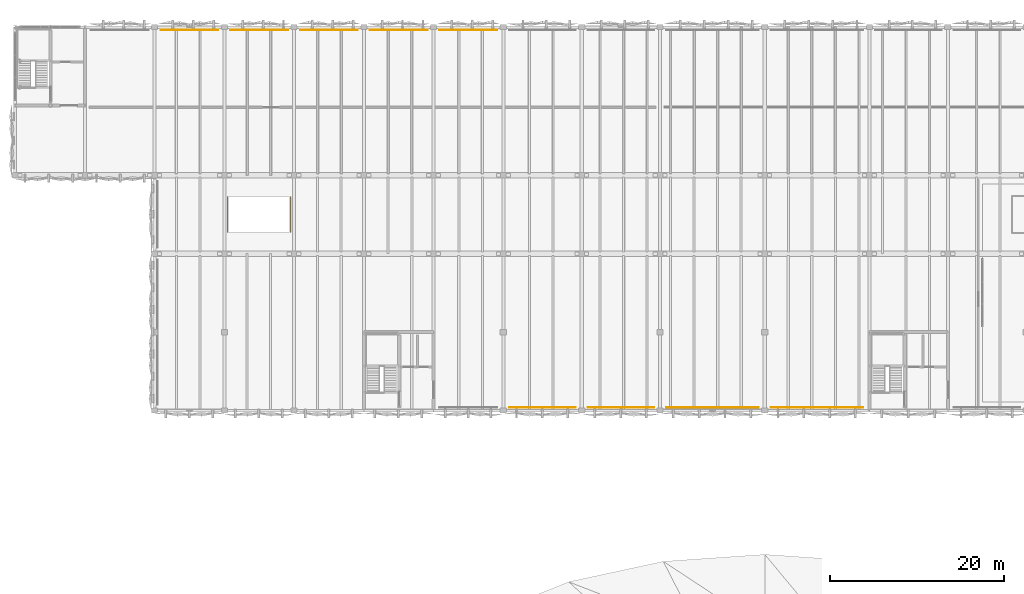
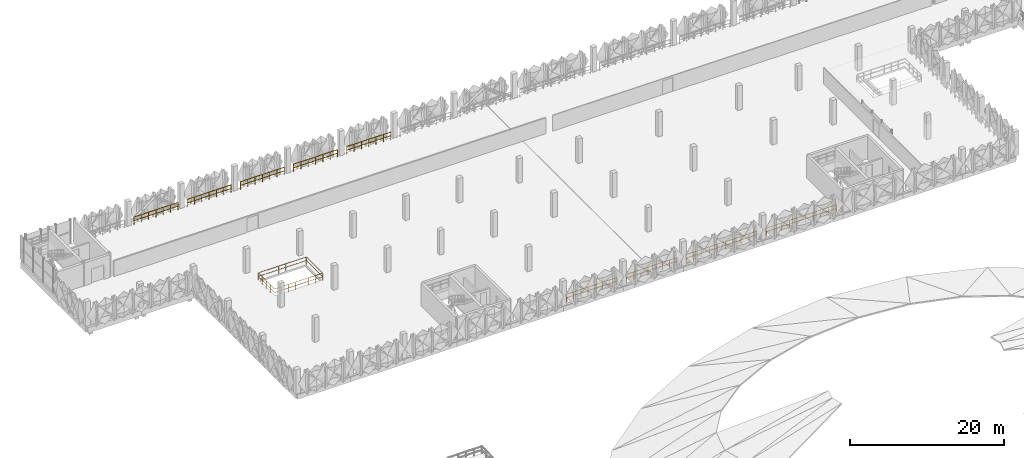
# One storey, part 47 of 52: 10 railings.
"""IFC4 building model written with IfcOpenShell, lengths in metres."""

from ifc_helpers import new_model, si_unit, derived_unit, direction, frame, origin, origin_2d, place, context, subcontext, project, spatial, circle, extrude, material, type_object, element, save


model = new_model("IFC4")

# Units and contexts
model_context = context("Model", 3, precision=1e-05, world=origin(), true_north=direction((0.0, 1.0)))
body_context = subcontext(model_context, "Body", "Model", "MODEL_VIEW")
ifc_project = project(units=[si_unit("LENGTHUNIT", "METRE"), si_unit("AREAUNIT", "SQUARE_METRE"), si_unit("VOLUMEUNIT", "CUBIC_METRE"), si_unit("PLANEANGLEUNIT", "RADIAN"), si_unit("MASSUNIT", "GRAM", prefix="KILO"), si_unit("THERMODYNAMICTEMPERATUREUNIT", "KELVIN"), derived_unit("THERMALTRANSMITTANCEUNIT", [(si_unit("POWERUNIT", "WATT"), 1), (si_unit("AREAUNIT", "SQUARE_METRE"), -1), (si_unit("THERMODYNAMICTEMPERATUREUNIT", "KELVIN"), -1)])], contexts=[model_context])

# Site, building, storey
site_placement = place(None, origin())
site = spatial("IfcSite", under=ifc_project, at=site_placement, CompositionType="ELEMENT")
building_placement = place(site_placement, origin())
building = spatial("IfcBuilding", under=site, at=building_placement, Name="Haiyu Intermodal Mobility Hub", CompositionType="ELEMENT")
storey_placement = place(building_placement, frame((0.0, 0.0, 21.199951171875)))
storey = spatial("IfcBuildingStorey", under=building, at=storey_placement, Name="L05", CompositionType="ELEMENT", Elevation=21.199951171875)

# Railings
ifc_material = material(Name="Steel Q355C", Category="steel")
railing_type = type_object("IfcRailingType", Name="RAL-GR01", PredefinedType="GUARDRAIL", material=ifc_material)
railing_1_placement = place(storey_placement, frame((45.300048828125, 147.659912109375, 0.0)))
element("IfcRailing", 1, at=railing_1_placement, inside=storey, type_object=railing_type, Name="RAL-CAR-N-0018", PredefinedType="GUARDRAIL", context=body_context, shape_type="SweptSolid", body=[
    extrude(circle(Radius=0.02392578125, at=origin_2d()), frame((-0.030029296875, 0.0, 1.17578125), z_axis=(-1.0, 0.0, 0.0), x_axis=(0.0, -1.0, 0.0)), (0.0, 0.0, 1.0), 6.5400390625),
    extrude(circle(Radius=0.02392578125, at=origin_2d()), frame((-0.037353515625, 0.0, 0.60009765625), z_axis=(-1.0, 0.0, 0.0), x_axis=(0.0, -1.0, 0.0)), (0.0, 0.0, 1.0), 1.025390625),
    extrude(circle(Radius=0.02392578125, at=origin_2d()), frame((-1.13720703125, 0.0, 0.60009765625), z_axis=(-1.0, 0.0, 0.0), x_axis=(0.0, -1.0, 0.0)), (0.0, 0.0, 1.0), 1.025390625),
    extrude(circle(Radius=0.02392578125, at=origin_2d()), frame((-2.2373046875, 0.0, 0.60009765625), z_axis=(-1.0, 0.0, 0.0), x_axis=(0.0, -1.0, 0.0)), (0.0, 0.0, 1.0), 1.025390625),
    extrude(circle(Radius=0.02392578125, at=origin_2d()), frame((-3.33740234375, 0.0, 0.60009765625), z_axis=(-1.0, 0.0, 0.0), x_axis=(0.0, -1.0, 0.0)), (0.0, 0.0, 1.0), 1.025390625),
    extrude(circle(Radius=0.02392578125, at=origin_2d()), frame((-4.437255859375, 0.0, 0.60009765625), z_axis=(-1.0, 0.0, 0.0), x_axis=(0.0, -1.0, 0.0)), (0.0, 0.0, 1.0), 1.025390625),
    extrude(circle(Radius=0.02392578125, at=origin_2d()), frame((-5.537353515625, 0.0, 0.60009765625), z_axis=(-1.0, 0.0, 0.0), x_axis=(0.0, -1.0, 0.0)), (0.0, 0.0, 1.0), 1.025390625),
    extrude(circle(Radius=0.02099609375, at=origin_2d()), origin(), (0.0, 0.0, 1.0), 1.143798828125),
    extrude(circle(Radius=0.02099609375, at=origin_2d()), frame((-1.10009765625, 0.0, 0.0)), (0.0, 0.0, 1.0), 1.143798828125),
    extrude(circle(Radius=0.02099609375, at=origin_2d()), frame((-2.199951171875, 0.0, 0.0)), (0.0, 0.0, 1.0), 1.143798828125),
    extrude(circle(Radius=0.02099609375, at=origin_2d()), frame((-3.300048828125, 0.0, 0.0)), (0.0, 0.0, 1.0), 1.143798828125),
    extrude(circle(Radius=0.02099609375, at=origin_2d()), frame((-4.400146484375, 0.0, 0.0)), (0.0, 0.0, 1.0), 1.143798828125),
    extrude(circle(Radius=0.02099609375, at=origin_2d()), frame((-5.5, 0.0, 0.0)), (0.0, 0.0, 1.0), 1.143798828125),
    extrude(circle(Radius=0.02099609375, at=origin_2d()), frame((-6.60009765625, 0.0, 0.0)), (0.0, 0.0, 1.0), 1.143798828125),
])
railing_2_placement = place(storey_placement, frame((53.300048828125, 147.659912109375, 0.0)))
element("IfcRailing", 2, at=railing_2_placement, inside=storey, type_object=railing_type, Name="RAL-CAR-N-0024", PredefinedType="GUARDRAIL", context=body_context, shape_type="SweptSolid", body=[
    extrude(circle(Radius=0.02392578125, at=origin_2d()), frame((-0.030029296875, 0.0, 1.17578125), z_axis=(-1.0, 0.0, 0.0), x_axis=(0.0, -1.0, 0.0)), (0.0, 0.0, 1.0), 6.5400390625),
    extrude(circle(Radius=0.02392578125, at=origin_2d()), frame((-0.037353515625, 0.0, 0.60009765625), z_axis=(-1.0, 0.0, 0.0), x_axis=(0.0, -1.0, 0.0)), (0.0, 0.0, 1.0), 1.025390625),
    extrude(circle(Radius=0.02392578125, at=origin_2d()), frame((-1.13720703125, 0.0, 0.60009765625), z_axis=(-1.0, 0.0, 0.0), x_axis=(0.0, -1.0, 0.0)), (0.0, 0.0, 1.0), 1.025390625),
    extrude(circle(Radius=0.02392578125, at=origin_2d()), frame((-2.2373046875, 0.0, 0.60009765625), z_axis=(-1.0, 0.0, 0.0), x_axis=(0.0, -1.0, 0.0)), (0.0, 0.0, 1.0), 1.025390625),
    extrude(circle(Radius=0.02392578125, at=origin_2d()), frame((-3.33740234375, 0.0, 0.60009765625), z_axis=(-1.0, 0.0, 0.0), x_axis=(0.0, -1.0, 0.0)), (0.0, 0.0, 1.0), 1.025390625),
    extrude(circle(Radius=0.02392578125, at=origin_2d()), frame((-4.437255859375, 0.0, 0.60009765625), z_axis=(-1.0, 0.0, 0.0), x_axis=(0.0, -1.0, 0.0)), (0.0, 0.0, 1.0), 1.025390625),
    extrude(circle(Radius=0.02392578125, at=origin_2d()), frame((-5.537353515625, 0.0, 0.60009765625), z_axis=(-1.0, 0.0, 0.0), x_axis=(0.0, -1.0, 0.0)), (0.0, 0.0, 1.0), 1.025390625),
    extrude(circle(Radius=0.02099609375, at=origin_2d()), origin(), (0.0, 0.0, 1.0), 1.143798828125),
    extrude(circle(Radius=0.02099609375, at=origin_2d()), frame((-1.10009765625, 0.0, 0.0)), (0.0, 0.0, 1.0), 1.143798828125),
    extrude(circle(Radius=0.02099609375, at=origin_2d()), frame((-2.199951171875, 0.0, 0.0)), (0.0, 0.0, 1.0), 1.143798828125),
    extrude(circle(Radius=0.02099609375, at=origin_2d()), frame((-3.300048828125, 0.0, 0.0)), (0.0, 0.0, 1.0), 1.143798828125),
    extrude(circle(Radius=0.02099609375, at=origin_2d()), frame((-4.400146484375, 0.0, 0.0)), (0.0, 0.0, 1.0), 1.143798828125),
    extrude(circle(Radius=0.02099609375, at=origin_2d()), frame((-5.5, 0.0, 0.0)), (0.0, 0.0, 1.0), 1.143798828125),
    extrude(circle(Radius=0.02099609375, at=origin_2d()), frame((-6.60009765625, 0.0, 0.0)), (0.0, 0.0, 1.0), 1.143798828125),
])
railing_3_placement = place(storey_placement, frame((61.300048828125, 147.659912109375, 0.0)))
element("IfcRailing", 3, at=railing_3_placement, inside=storey, type_object=railing_type, Name="RAL-CAR-N-0029", PredefinedType="GUARDRAIL", context=body_context, shape_type="SweptSolid", body=[
    extrude(circle(Radius=0.02392578125, at=origin_2d()), frame((-0.030029296875, 0.0, 1.17578125), z_axis=(-1.0, 0.0, 0.0), x_axis=(0.0, -1.0, 0.0)), (0.0, 0.0, 1.0), 6.5400390625),
    extrude(circle(Radius=0.02392578125, at=origin_2d()), frame((-0.037353515625, 0.0, 0.60009765625), z_axis=(-1.0, 0.0, 0.0), x_axis=(0.0, -1.0, 0.0)), (0.0, 0.0, 1.0), 1.025390625),
    extrude(circle(Radius=0.02392578125, at=origin_2d()), frame((-1.13720703125, 0.0, 0.60009765625), z_axis=(-1.0, 0.0, 0.0), x_axis=(0.0, -1.0, 0.0)), (0.0, 0.0, 1.0), 1.025390625),
    extrude(circle(Radius=0.02392578125, at=origin_2d()), frame((-2.2373046875, 0.0, 0.60009765625), z_axis=(-1.0, 0.0, 0.0), x_axis=(0.0, -1.0, 0.0)), (0.0, 0.0, 1.0), 1.025390625),
    extrude(circle(Radius=0.02392578125, at=origin_2d()), frame((-3.33740234375, 0.0, 0.60009765625), z_axis=(-1.0, 0.0, 0.0), x_axis=(0.0, -1.0, 0.0)), (0.0, 0.0, 1.0), 1.025390625),
    extrude(circle(Radius=0.02392578125, at=origin_2d()), frame((-4.437255859375, 0.0, 0.60009765625), z_axis=(-1.0, 0.0, 0.0), x_axis=(0.0, -1.0, 0.0)), (0.0, 0.0, 1.0), 1.025390625),
    extrude(circle(Radius=0.02392578125, at=origin_2d()), frame((-5.537353515625, 0.0, 0.60009765625), z_axis=(-1.0, 0.0, 0.0), x_axis=(0.0, -1.0, 0.0)), (0.0, 0.0, 1.0), 1.025390625),
    extrude(circle(Radius=0.02099609375, at=origin_2d()), origin(), (0.0, 0.0, 1.0), 1.143798828125),
    extrude(circle(Radius=0.02099609375, at=origin_2d()), frame((-1.10009765625, 0.0, 0.0)), (0.0, 0.0, 1.0), 1.143798828125),
    extrude(circle(Radius=0.02099609375, at=origin_2d()), frame((-2.199951171875, 0.0, 0.0)), (0.0, 0.0, 1.0), 1.143798828125),
    extrude(circle(Radius=0.02099609375, at=origin_2d()), frame((-3.300048828125, 0.0, 0.0)), (0.0, 0.0, 1.0), 1.143798828125),
    extrude(circle(Radius=0.02099609375, at=origin_2d()), frame((-4.400146484375, 0.0, 0.0)), (0.0, 0.0, 1.0), 1.143798828125),
    extrude(circle(Radius=0.02099609375, at=origin_2d()), frame((-5.5, 0.0, 0.0)), (0.0, 0.0, 1.0), 1.143798828125),
    extrude(circle(Radius=0.02099609375, at=origin_2d()), frame((-6.60009765625, 0.0, 0.0)), (0.0, 0.0, 1.0), 1.143798828125),
])
railing_4_placement = place(storey_placement, frame((69.300048828125, 147.659912109375, 0.0)))
element("IfcRailing", 4, at=railing_4_placement, inside=storey, type_object=railing_type, Name="RAL-CAR-N-0034", PredefinedType="GUARDRAIL", context=body_context, shape_type="SweptSolid", body=[
    extrude(circle(Radius=0.02392578125, at=origin_2d()), frame((-0.030029296875, 0.0, 1.17578125), z_axis=(-1.0, 0.0, 0.0), x_axis=(0.0, -1.0, 0.0)), (0.0, 0.0, 1.0), 6.5400390625),
    extrude(circle(Radius=0.02392578125, at=origin_2d()), frame((-0.037353515625, 0.0, 0.60009765625), z_axis=(-1.0, 0.0, 0.0), x_axis=(0.0, -1.0, 0.0)), (0.0, 0.0, 1.0), 1.025390625),
    extrude(circle(Radius=0.02392578125, at=origin_2d()), frame((-1.13720703125, 0.0, 0.60009765625), z_axis=(-1.0, 0.0, 0.0), x_axis=(0.0, -1.0, 0.0)), (0.0, 0.0, 1.0), 1.025390625),
    extrude(circle(Radius=0.02392578125, at=origin_2d()), frame((-2.2373046875, 0.0, 0.60009765625), z_axis=(-1.0, 0.0, 0.0), x_axis=(0.0, -1.0, 0.0)), (0.0, 0.0, 1.0), 1.025390625),
    extrude(circle(Radius=0.02392578125, at=origin_2d()), frame((-3.33740234375, 0.0, 0.60009765625), z_axis=(-1.0, 0.0, 0.0), x_axis=(0.0, -1.0, 0.0)), (0.0, 0.0, 1.0), 1.025390625),
    extrude(circle(Radius=0.02392578125, at=origin_2d()), frame((-4.437255859375, 0.0, 0.60009765625), z_axis=(-1.0, 0.0, 0.0), x_axis=(0.0, -1.0, 0.0)), (0.0, 0.0, 1.0), 1.025390625),
    extrude(circle(Radius=0.02392578125, at=origin_2d()), frame((-5.537353515625, 0.0, 0.60009765625), z_axis=(-1.0, 0.0, 0.0), x_axis=(0.0, -1.0, 0.0)), (0.0, 0.0, 1.0), 1.025390625),
    extrude(circle(Radius=0.02099609375, at=origin_2d()), origin(), (0.0, 0.0, 1.0), 1.143798828125),
    extrude(circle(Radius=0.02099609375, at=origin_2d()), frame((-1.10009765625, 0.0, 0.0)), (0.0, 0.0, 1.0), 1.143798828125),
    extrude(circle(Radius=0.02099609375, at=origin_2d()), frame((-2.199951171875, 0.0, 0.0)), (0.0, 0.0, 1.0), 1.143798828125),
    extrude(circle(Radius=0.02099609375, at=origin_2d()), frame((-3.300048828125, 0.0, 0.0)), (0.0, 0.0, 1.0), 1.143798828125),
    extrude(circle(Radius=0.02099609375, at=origin_2d()), frame((-4.400146484375, 0.0, 0.0)), (0.0, 0.0, 1.0), 1.143798828125),
    extrude(circle(Radius=0.02099609375, at=origin_2d()), frame((-5.5, 0.0, 0.0)), (0.0, 0.0, 1.0), 1.143798828125),
    extrude(circle(Radius=0.02099609375, at=origin_2d()), frame((-6.60009765625, 0.0, 0.0)), (0.0, 0.0, 1.0), 1.143798828125),
])
railing_5_placement = place(storey_placement, frame((77.300048828125, 147.659912109375, 0.0)))
element("IfcRailing", 5, at=railing_5_placement, inside=storey, type_object=railing_type, Name="RAL-CAR-N-0040", PredefinedType="GUARDRAIL", context=body_context, shape_type="SweptSolid", body=[
    extrude(circle(Radius=0.02392578125, at=origin_2d()), frame((-0.030029296875, 0.0, 1.17578125), z_axis=(-1.0, 0.0, 0.0), x_axis=(0.0, -1.0, 0.0)), (0.0, 0.0, 1.0), 6.5400390625),
    extrude(circle(Radius=0.02392578125, at=origin_2d()), frame((-0.037353515625, 0.0, 0.60009765625), z_axis=(-1.0, 0.0, 0.0), x_axis=(0.0, -1.0, 0.0)), (0.0, 0.0, 1.0), 1.025390625),
    extrude(circle(Radius=0.02392578125, at=origin_2d()), frame((-1.13720703125, 0.0, 0.60009765625), z_axis=(-1.0, 0.0, 0.0), x_axis=(0.0, -1.0, 0.0)), (0.0, 0.0, 1.0), 1.025390625),
    extrude(circle(Radius=0.02392578125, at=origin_2d()), frame((-2.2373046875, 0.0, 0.60009765625), z_axis=(-1.0, 0.0, 0.0), x_axis=(0.0, -1.0, 0.0)), (0.0, 0.0, 1.0), 1.025390625),
    extrude(circle(Radius=0.02392578125, at=origin_2d()), frame((-3.33740234375, 0.0, 0.60009765625), z_axis=(-1.0, 0.0, 0.0), x_axis=(0.0, -1.0, 0.0)), (0.0, 0.0, 1.0), 1.025390625),
    extrude(circle(Radius=0.02392578125, at=origin_2d()), frame((-4.437255859375, 0.0, 0.60009765625), z_axis=(-1.0, 0.0, 0.0), x_axis=(0.0, -1.0, 0.0)), (0.0, 0.0, 1.0), 1.025390625),
    extrude(circle(Radius=0.02392578125, at=origin_2d()), frame((-5.537353515625, 0.0, 0.60009765625), z_axis=(-1.0, 0.0, 0.0), x_axis=(0.0, -1.0, 0.0)), (0.0, 0.0, 1.0), 1.025390625),
    extrude(circle(Radius=0.02099609375, at=origin_2d()), origin(), (0.0, 0.0, 1.0), 1.143798828125),
    extrude(circle(Radius=0.02099609375, at=origin_2d()), frame((-1.10009765625, 0.0, 0.0)), (0.0, 0.0, 1.0), 1.143798828125),
    extrude(circle(Radius=0.02099609375, at=origin_2d()), frame((-2.199951171875, 0.0, 0.0)), (0.0, 0.0, 1.0), 1.143798828125),
    extrude(circle(Radius=0.02099609375, at=origin_2d()), frame((-3.300048828125, 0.0, 0.0)), (0.0, 0.0, 1.0), 1.143798828125),
    extrude(circle(Radius=0.02099609375, at=origin_2d()), frame((-4.400146484375, 0.0, 0.0)), (0.0, 0.0, 1.0), 1.143798828125),
    extrude(circle(Radius=0.02099609375, at=origin_2d()), frame((-5.5, 0.0, 0.0)), (0.0, 0.0, 1.0), 1.143798828125),
    extrude(circle(Radius=0.02099609375, at=origin_2d()), frame((-6.60009765625, 0.0, 0.0)), (0.0, 0.0, 1.0), 1.143798828125),
])
railing_6_placement = place(storey_placement, frame((78.699951171875, 104.340087890625, 0.0)))
element("IfcRailing", 6, at=railing_6_placement, inside=storey, type_object=railing_type, Name="RAL-CAR-S-0119", PredefinedType="GUARDRAIL", context=body_context, shape_type="SweptSolid", body=[
    extrude(circle(Radius=0.02392578125, at=origin_2d()), frame((0.030029296875, 0.0, 1.17578125), z_axis=(1.0, 0.0, 0.0), x_axis=(0.0, 1.0, 0.0)), (0.0, 0.0, 1.0), 7.5400390625),
    extrude(circle(Radius=0.02392578125, at=origin_2d()), frame((0.037353515625, 0.0, 0.60009765625), z_axis=(1.0, 0.0, 0.0), x_axis=(0.0, 1.0, 0.0)), (0.0, 0.0, 1.0), 1.01123046875),
    extrude(circle(Radius=0.02392578125, at=origin_2d()), frame((1.123046875, 0.0, 0.60009765625), z_axis=(1.0, 0.0, 0.0), x_axis=(0.0, 1.0, 0.0)), (0.0, 0.0, 1.0), 1.01123046875),
    extrude(circle(Radius=0.02392578125, at=origin_2d()), frame((2.208740234375, 0.0, 0.60009765625), z_axis=(1.0, 0.0, 0.0), x_axis=(0.0, 1.0, 0.0)), (0.0, 0.0, 1.0), 1.01123046875),
    extrude(circle(Radius=0.02392578125, at=origin_2d()), frame((3.29443359375, 0.0, 0.60009765625), z_axis=(1.0, 0.0, 0.0), x_axis=(0.0, 1.0, 0.0)), (0.0, 0.0, 1.0), 1.01123046875),
    extrude(circle(Radius=0.02392578125, at=origin_2d()), frame((4.380126953125, 0.0, 0.60009765625), z_axis=(1.0, 0.0, 0.0), x_axis=(0.0, 1.0, 0.0)), (0.0, 0.0, 1.0), 1.01123046875),
    extrude(circle(Radius=0.02392578125, at=origin_2d()), frame((5.4658203125, 0.0, 0.60009765625), z_axis=(1.0, 0.0, 0.0), x_axis=(0.0, 1.0, 0.0)), (0.0, 0.0, 1.0), 1.01123046875),
    extrude(circle(Radius=0.02392578125, at=origin_2d()), frame((6.5517578125, 0.0, 0.60009765625), z_axis=(1.0, 0.0, 0.0), x_axis=(0.0, 1.0, 0.0)), (0.0, 0.0, 1.0), 1.01123046875),
    extrude(circle(Radius=0.02099609375, at=origin_2d()), origin(), (0.0, 0.0, 1.0), 1.143798828125),
    extrude(circle(Radius=0.02099609375, at=origin_2d()), frame((1.085693359375, 0.0, 0.0)), (0.0, 0.0, 1.0), 1.143798828125),
    extrude(circle(Radius=0.02099609375, at=origin_2d()), frame((2.17138671875, 0.0, 0.0)), (0.0, 0.0, 1.0), 1.143798828125),
    extrude(circle(Radius=0.02099609375, at=origin_2d()), frame((3.257080078125, 0.0, 0.0)), (0.0, 0.0, 1.0), 1.143798828125),
    extrude(circle(Radius=0.02099609375, at=origin_2d()), frame((4.343017578125, 0.0, 0.0)), (0.0, 0.0, 1.0), 1.143798828125),
    extrude(circle(Radius=0.02099609375, at=origin_2d()), frame((5.4287109375, 0.0, 0.0)), (0.0, 0.0, 1.0), 1.143798828125),
    extrude(circle(Radius=0.02099609375, at=origin_2d()), frame((6.514404296875, 0.0, 0.0)), (0.0, 0.0, 1.0), 1.143798828125),
    extrude(circle(Radius=0.02099609375, at=origin_2d()), frame((7.60009765625, 0.0, 0.0)), (0.0, 0.0, 1.0), 1.143798828125),
])
railing_7_placement = place(storey_placement, frame((87.699951171875, 104.340087890625, 0.0)))
element("IfcRailing", 7, at=railing_7_placement, inside=storey, type_object=railing_type, Name="RAL-CAR-S-0124", PredefinedType="GUARDRAIL", context=body_context, shape_type="SweptSolid", body=[
    extrude(circle(Radius=0.02392578125, at=origin_2d()), frame((0.030029296875, 0.0, 1.17578125), z_axis=(1.0, 0.0, 0.0), x_axis=(0.0, 1.0, 0.0)), (0.0, 0.0, 1.0), 7.5400390625),
    extrude(circle(Radius=0.02392578125, at=origin_2d()), frame((0.037353515625, 0.0, 0.60009765625), z_axis=(1.0, 0.0, 0.0), x_axis=(0.0, 1.0, 0.0)), (0.0, 0.0, 1.0), 1.01123046875),
    extrude(circle(Radius=0.02392578125, at=origin_2d()), frame((1.123046875, 0.0, 0.60009765625), z_axis=(1.0, 0.0, 0.0), x_axis=(0.0, 1.0, 0.0)), (0.0, 0.0, 1.0), 1.01123046875),
    extrude(circle(Radius=0.02392578125, at=origin_2d()), frame((2.208740234375, 0.0, 0.60009765625), z_axis=(1.0, 0.0, 0.0), x_axis=(0.0, 1.0, 0.0)), (0.0, 0.0, 1.0), 1.01123046875),
    extrude(circle(Radius=0.02392578125, at=origin_2d()), frame((3.29443359375, 0.0, 0.60009765625), z_axis=(1.0, 0.0, 0.0), x_axis=(0.0, 1.0, 0.0)), (0.0, 0.0, 1.0), 1.01123046875),
    extrude(circle(Radius=0.02392578125, at=origin_2d()), frame((4.380126953125, 0.0, 0.60009765625), z_axis=(1.0, 0.0, 0.0), x_axis=(0.0, 1.0, 0.0)), (0.0, 0.0, 1.0), 1.01123046875),
    extrude(circle(Radius=0.02392578125, at=origin_2d()), frame((5.4658203125, 0.0, 0.60009765625), z_axis=(1.0, 0.0, 0.0), x_axis=(0.0, 1.0, 0.0)), (0.0, 0.0, 1.0), 1.01123046875),
    extrude(circle(Radius=0.02392578125, at=origin_2d()), frame((6.5517578125, 0.0, 0.60009765625), z_axis=(1.0, 0.0, 0.0), x_axis=(0.0, 1.0, 0.0)), (0.0, 0.0, 1.0), 1.01123046875),
    extrude(circle(Radius=0.02099609375, at=origin_2d()), origin(), (0.0, 0.0, 1.0), 1.143798828125),
    extrude(circle(Radius=0.02099609375, at=origin_2d()), frame((1.085693359375, 0.0, 0.0)), (0.0, 0.0, 1.0), 1.143798828125),
    extrude(circle(Radius=0.02099609375, at=origin_2d()), frame((2.17138671875, 0.0, 0.0)), (0.0, 0.0, 1.0), 1.143798828125),
    extrude(circle(Radius=0.02099609375, at=origin_2d()), frame((3.257080078125, 0.0, 0.0)), (0.0, 0.0, 1.0), 1.143798828125),
    extrude(circle(Radius=0.02099609375, at=origin_2d()), frame((4.343017578125, 0.0, 0.0)), (0.0, 0.0, 1.0), 1.143798828125),
    extrude(circle(Radius=0.02099609375, at=origin_2d()), frame((5.4287109375, 0.0, 0.0)), (0.0, 0.0, 1.0), 1.143798828125),
    extrude(circle(Radius=0.02099609375, at=origin_2d()), frame((6.514404296875, 0.0, 0.0)), (0.0, 0.0, 1.0), 1.143798828125),
    extrude(circle(Radius=0.02099609375, at=origin_2d()), frame((7.60009765625, 0.0, 0.0)), (0.0, 0.0, 1.0), 1.143798828125),
])
railing_8_placement = place(storey_placement, frame((96.699951171875, 104.340087890625, 0.0)))
element("IfcRailing", 8, at=railing_8_placement, inside=storey, type_object=railing_type, Name="RAL-CAR-S-0130", PredefinedType="GUARDRAIL", context=body_context, shape_type="SweptSolid", body=[
    extrude(circle(Radius=0.02392578125, at=origin_2d()), frame((0.030029296875, 0.0, 1.17578125), z_axis=(1.0, 0.0, 0.0), x_axis=(0.0, 1.0, 0.0)), (0.0, 0.0, 1.0), 10.5400390625),
    extrude(circle(Radius=0.02392578125, at=origin_2d()), frame((0.037353515625, 0.0, 0.60009765625), z_axis=(1.0, 0.0, 0.0), x_axis=(0.0, 1.0, 0.0)), (0.0, 0.0, 1.0), 1.103271484375),
    extrude(circle(Radius=0.02392578125, at=origin_2d()), frame((1.215087890625, 0.0, 0.60009765625), z_axis=(1.0, 0.0, 0.0), x_axis=(0.0, 1.0, 0.0)), (0.0, 0.0, 1.0), 1.103271484375),
    extrude(circle(Radius=0.02392578125, at=origin_2d()), frame((2.392822265625, 0.0, 0.60009765625), z_axis=(1.0, 0.0, 0.0), x_axis=(0.0, 1.0, 0.0)), (0.0, 0.0, 1.0), 1.103271484375),
    extrude(circle(Radius=0.02392578125, at=origin_2d()), frame((3.570556640625, 0.0, 0.60009765625), z_axis=(1.0, 0.0, 0.0), x_axis=(0.0, 1.0, 0.0)), (0.0, 0.0, 1.0), 1.103271484375),
    extrude(circle(Radius=0.02392578125, at=origin_2d()), frame((4.74853515625, 0.0, 0.60009765625), z_axis=(1.0, 0.0, 0.0), x_axis=(0.0, 1.0, 0.0)), (0.0, 0.0, 1.0), 1.103271484375),
    extrude(circle(Radius=0.02392578125, at=origin_2d()), frame((5.92626953125, 0.0, 0.60009765625), z_axis=(1.0, 0.0, 0.0), x_axis=(0.0, 1.0, 0.0)), (0.0, 0.0, 1.0), 1.103271484375),
    extrude(circle(Radius=0.02392578125, at=origin_2d()), frame((7.10400390625, 0.0, 0.60009765625), z_axis=(1.0, 0.0, 0.0), x_axis=(0.0, 1.0, 0.0)), (0.0, 0.0, 1.0), 1.103271484375),
    extrude(circle(Radius=0.02392578125, at=origin_2d()), frame((8.28173828125, 0.0, 0.60009765625), z_axis=(1.0, 0.0, 0.0), x_axis=(0.0, 1.0, 0.0)), (0.0, 0.0, 1.0), 1.103271484375),
    extrude(circle(Radius=0.02392578125, at=origin_2d()), frame((9.459716796875, 0.0, 0.60009765625), z_axis=(1.0, 0.0, 0.0), x_axis=(0.0, 1.0, 0.0)), (0.0, 0.0, 1.0), 1.103271484375),
    extrude(circle(Radius=0.02099609375, at=origin_2d()), origin(), (0.0, 0.0, 1.0), 1.143798828125),
    extrude(circle(Radius=0.02099609375, at=origin_2d()), frame((1.177734375, 0.0, 0.0)), (0.0, 0.0, 1.0), 1.143798828125),
    extrude(circle(Radius=0.02099609375, at=origin_2d()), frame((2.35546875, 0.0, 0.0)), (0.0, 0.0, 1.0), 1.143798828125),
    extrude(circle(Radius=0.02099609375, at=origin_2d()), frame((3.533447265625, 0.0, 0.0)), (0.0, 0.0, 1.0), 1.143798828125),
    extrude(circle(Radius=0.02099609375, at=origin_2d()), frame((4.711181640625, 0.0, 0.0)), (0.0, 0.0, 1.0), 1.143798828125),
    extrude(circle(Radius=0.02099609375, at=origin_2d()), frame((5.888916015625, 0.0, 0.0)), (0.0, 0.0, 1.0), 1.143798828125),
    extrude(circle(Radius=0.02099609375, at=origin_2d()), frame((7.066650390625, 0.0, 0.0)), (0.0, 0.0, 1.0), 1.143798828125),
    extrude(circle(Radius=0.02099609375, at=origin_2d()), frame((8.24462890625, 0.0, 0.0)), (0.0, 0.0, 1.0), 1.143798828125),
    extrude(circle(Radius=0.02099609375, at=origin_2d()), frame((9.42236328125, 0.0, 0.0)), (0.0, 0.0, 1.0), 1.143798828125),
    extrude(circle(Radius=0.02099609375, at=origin_2d()), frame((10.60009765625, 0.0, 0.0)), (0.0, 0.0, 1.0), 1.143798828125),
])
railing_9_placement = place(storey_placement, frame((108.699951171875, 104.340087890625, 0.0)))
element("IfcRailing", 9, at=railing_9_placement, inside=storey, type_object=railing_type, Name="RAL-CAR-S-0136", PredefinedType="GUARDRAIL", context=body_context, shape_type="SweptSolid", body=[
    extrude(circle(Radius=0.02392578125, at=origin_2d()), frame((0.030029296875, 0.0, 1.17578125), z_axis=(1.0, 0.0, 0.0), x_axis=(0.0, 1.0, 0.0)), (0.0, 0.0, 1.0), 10.5400390625),
    extrude(circle(Radius=0.02392578125, at=origin_2d()), frame((0.037353515625, 0.0, 0.60009765625), z_axis=(1.0, 0.0, 0.0), x_axis=(0.0, 1.0, 0.0)), (0.0, 0.0, 1.0), 1.103271484375),
    extrude(circle(Radius=0.02392578125, at=origin_2d()), frame((1.215087890625, 0.0, 0.60009765625), z_axis=(1.0, 0.0, 0.0), x_axis=(0.0, 1.0, 0.0)), (0.0, 0.0, 1.0), 1.103271484375),
    extrude(circle(Radius=0.02392578125, at=origin_2d()), frame((2.392822265625, 0.0, 0.60009765625), z_axis=(1.0, 0.0, 0.0), x_axis=(0.0, 1.0, 0.0)), (0.0, 0.0, 1.0), 1.103271484375),
    extrude(circle(Radius=0.02392578125, at=origin_2d()), frame((3.570556640625, 0.0, 0.60009765625), z_axis=(1.0, 0.0, 0.0), x_axis=(0.0, 1.0, 0.0)), (0.0, 0.0, 1.0), 1.103271484375),
    extrude(circle(Radius=0.02392578125, at=origin_2d()), frame((4.74853515625, 0.0, 0.60009765625), z_axis=(1.0, 0.0, 0.0), x_axis=(0.0, 1.0, 0.0)), (0.0, 0.0, 1.0), 1.103271484375),
    extrude(circle(Radius=0.02392578125, at=origin_2d()), frame((5.92626953125, 0.0, 0.60009765625), z_axis=(1.0, 0.0, 0.0), x_axis=(0.0, 1.0, 0.0)), (0.0, 0.0, 1.0), 1.103271484375),
    extrude(circle(Radius=0.02392578125, at=origin_2d()), frame((7.10400390625, 0.0, 0.60009765625), z_axis=(1.0, 0.0, 0.0), x_axis=(0.0, 1.0, 0.0)), (0.0, 0.0, 1.0), 1.103271484375),
    extrude(circle(Radius=0.02392578125, at=origin_2d()), frame((8.28173828125, 0.0, 0.60009765625), z_axis=(1.0, 0.0, 0.0), x_axis=(0.0, 1.0, 0.0)), (0.0, 0.0, 1.0), 1.103271484375),
    extrude(circle(Radius=0.02392578125, at=origin_2d()), frame((9.459716796875, 0.0, 0.60009765625), z_axis=(1.0, 0.0, 0.0), x_axis=(0.0, 1.0, 0.0)), (0.0, 0.0, 1.0), 1.103271484375),
    extrude(circle(Radius=0.02099609375, at=origin_2d()), origin(), (0.0, 0.0, 1.0), 1.143798828125),
    extrude(circle(Radius=0.02099609375, at=origin_2d()), frame((1.177734375, 0.0, 0.0)), (0.0, 0.0, 1.0), 1.143798828125),
    extrude(circle(Radius=0.02099609375, at=origin_2d()), frame((2.35546875, 0.0, 0.0)), (0.0, 0.0, 1.0), 1.143798828125),
    extrude(circle(Radius=0.02099609375, at=origin_2d()), frame((3.533447265625, 0.0, 0.0)), (0.0, 0.0, 1.0), 1.143798828125),
    extrude(circle(Radius=0.02099609375, at=origin_2d()), frame((4.711181640625, 0.0, 0.0)), (0.0, 0.0, 1.0), 1.143798828125),
    extrude(circle(Radius=0.02099609375, at=origin_2d()), frame((5.888916015625, 0.0, 0.0)), (0.0, 0.0, 1.0), 1.143798828125),
    extrude(circle(Radius=0.02099609375, at=origin_2d()), frame((7.066650390625, 0.0, 0.0)), (0.0, 0.0, 1.0), 1.143798828125),
    extrude(circle(Radius=0.02099609375, at=origin_2d()), frame((8.24462890625, 0.0, 0.0)), (0.0, 0.0, 1.0), 1.143798828125),
    extrude(circle(Radius=0.02099609375, at=origin_2d()), frame((9.42236328125, 0.0, 0.0)), (0.0, 0.0, 1.0), 1.143798828125),
    extrude(circle(Radius=0.02099609375, at=origin_2d()), frame((10.60009765625, 0.0, 0.0)), (0.0, 0.0, 1.0), 1.143798828125),
])
railing_10_placement = place(storey_placement, frame((46.3798828125, 124.3798828125, 0.0)))
element("IfcRailing", 10, at=railing_10_placement, inside=storey, type_object=railing_type, Name="RAL-V4VOID-L05-W", PredefinedType="GUARDRAIL", context=body_context, shape_type="SweptSolid", body=[
    extrude(circle(Radius=0.02392578125, at=origin_2d()), frame((0.030029296875, 0.0, 1.15576171875), z_axis=(1.0, 0.0, 0.0), x_axis=(0.0, 1.0, 0.0)), (0.0, 0.0, 1.0), 7.18017578125),
    extrude(circle(Radius=0.02392578125, at=origin_2d()), frame((0.037353515625, 0.0, 0.58984375), z_axis=(1.0, 0.0, 0.0), x_axis=(0.0, 1.0, 0.0)), (0.0, 0.0, 1.0), 0.959716796875),
    extrude(circle(Radius=0.02392578125, at=origin_2d()), frame((1.071533203125, 0.0, 0.58984375), z_axis=(1.0, 0.0, 0.0), x_axis=(0.0, 1.0, 0.0)), (0.0, 0.0, 1.0), 0.959716796875),
    extrude(circle(Radius=0.02392578125, at=origin_2d()), frame((2.10595703125, 0.0, 0.58984375), z_axis=(1.0, 0.0, 0.0), x_axis=(0.0, 1.0, 0.0)), (0.0, 0.0, 1.0), 0.959716796875),
    extrude(circle(Radius=0.02392578125, at=origin_2d()), frame((3.14013671875, 0.0, 0.58984375), z_axis=(1.0, 0.0, 0.0), x_axis=(0.0, 1.0, 0.0)), (0.0, 0.0, 1.0), 0.959716796875),
    extrude(circle(Radius=0.02392578125, at=origin_2d()), frame((4.174560546875, 0.0, 0.58984375), z_axis=(1.0, 0.0, 0.0), x_axis=(0.0, 1.0, 0.0)), (0.0, 0.0, 1.0), 0.959716796875),
    extrude(circle(Radius=0.02392578125, at=origin_2d()), frame((5.208984375, 0.0, 0.58984375), z_axis=(1.0, 0.0, 0.0), x_axis=(0.0, 1.0, 0.0)), (0.0, 0.0, 1.0), 0.959716796875),
    extrude(circle(Radius=0.02392578125, at=origin_2d()), frame((6.2431640625, 0.0, 0.58984375), z_axis=(1.0, 0.0, 0.0), x_axis=(0.0, 1.0, 0.0)), (0.0, 0.0, 1.0), 0.959716796875),
    extrude(circle(Radius=0.02392578125, at=origin_2d()), frame((7.240234375, 0.030029296875, 1.15576171875), z_axis=(0.0, 1.0, 0.0), x_axis=(-1.0, 0.0, 0.0)), (0.0, 0.0, 1.0), 4.18017578125),
    extrude(circle(Radius=0.02392578125, at=origin_2d()), frame((7.240234375, 0.037353515625, 0.58984375), z_axis=(0.0, 1.0, 0.0), x_axis=(-1.0, 0.0, 0.0)), (0.0, 0.0, 1.0), 0.9853515625),
    extrude(circle(Radius=0.02392578125, at=origin_2d()), frame((7.240234375, 1.097412109375, 0.58984375), z_axis=(0.0, 1.0, 0.0), x_axis=(-1.0, 0.0, 0.0)), (0.0, 0.0, 1.0), 0.9853515625),
    extrude(circle(Radius=0.02392578125, at=origin_2d()), frame((7.240234375, 2.157470703125, 0.58984375), z_axis=(0.0, 1.0, 0.0), x_axis=(-1.0, 0.0, 0.0)), (0.0, 0.0, 1.0), 0.9853515625),
    extrude(circle(Radius=0.02392578125, at=origin_2d()), frame((7.240234375, 3.217529296875, 0.58984375), z_axis=(0.0, 1.0, 0.0), x_axis=(-1.0, 0.0, 0.0)), (0.0, 0.0, 1.0), 0.9853515625),
    extrude(circle(Radius=0.02392578125, at=origin_2d()), frame((7.210205078125, 4.240234375, 1.15576171875), z_axis=(-1.0, 0.0, 0.0), x_axis=(0.0, -1.0, 0.0)), (0.0, 0.0, 1.0), 7.18017578125),
    extrude(circle(Radius=0.02392578125, at=origin_2d()), frame((7.202880859375, 4.240234375, 0.58984375), z_axis=(-1.0, 0.0, 0.0), x_axis=(0.0, -1.0, 0.0)), (0.0, 0.0, 1.0), 0.959716796875),
    extrude(circle(Radius=0.02392578125, at=origin_2d()), frame((6.168701171875, 4.240234375, 0.58984375), z_axis=(-1.0, 0.0, 0.0), x_axis=(0.0, -1.0, 0.0)), (0.0, 0.0, 1.0), 0.959716796875),
    extrude(circle(Radius=0.02392578125, at=origin_2d()), frame((5.13427734375, 4.240234375, 0.58984375), z_axis=(-1.0, 0.0, 0.0), x_axis=(0.0, -1.0, 0.0)), (0.0, 0.0, 1.0), 0.959716796875),
    extrude(circle(Radius=0.02392578125, at=origin_2d()), frame((4.10009765625, 4.240234375, 0.58984375), z_axis=(-1.0, 0.0, 0.0), x_axis=(0.0, -1.0, 0.0)), (0.0, 0.0, 1.0), 0.959716796875),
    extrude(circle(Radius=0.02392578125, at=origin_2d()), frame((3.065673828125, 4.240234375, 0.58984375), z_axis=(-1.0, 0.0, 0.0), x_axis=(0.0, -1.0, 0.0)), (0.0, 0.0, 1.0), 0.959716796875),
    extrude(circle(Radius=0.02392578125, at=origin_2d()), frame((2.03125, 4.240234375, 0.58984375), z_axis=(-1.0, 0.0, 0.0), x_axis=(0.0, -1.0, 0.0)), (0.0, 0.0, 1.0), 0.959716796875),
    extrude(circle(Radius=0.02392578125, at=origin_2d()), frame((0.9970703125, 4.240234375, 0.58984375), z_axis=(-1.0, 0.0, 0.0), x_axis=(0.0, -1.0, 0.0)), (0.0, 0.0, 1.0), 0.959716796875),
    extrude(circle(Radius=0.02392578125, at=origin_2d()), frame((0.0, 4.210205078125, 1.15576171875), z_axis=(0.0, -1.0, 0.0), x_axis=(1.0, 0.0, 0.0)), (0.0, 0.0, 1.0), 4.18017578125),
    extrude(circle(Radius=0.02392578125, at=origin_2d()), frame((0.0, 4.202880859375, 0.58984375), z_axis=(0.0, -1.0, 0.0), x_axis=(1.0, 0.0, 0.0)), (0.0, 0.0, 1.0), 0.9853515625),
    extrude(circle(Radius=0.02392578125, at=origin_2d()), frame((0.0, 3.142822265625, 0.58984375), z_axis=(0.0, -1.0, 0.0), x_axis=(1.0, 0.0, 0.0)), (0.0, 0.0, 1.0), 0.9853515625),
    extrude(circle(Radius=0.02392578125, at=origin_2d()), frame((0.0, 2.082763671875, 0.58984375), z_axis=(0.0, -1.0, 0.0), x_axis=(1.0, 0.0, 0.0)), (0.0, 0.0, 1.0), 0.9853515625),
    extrude(circle(Radius=0.02392578125, at=origin_2d()), frame((0.0, 1.022705078125, 0.58984375), z_axis=(0.0, -1.0, 0.0), x_axis=(1.0, 0.0, 0.0)), (0.0, 0.0, 1.0), 0.9853515625),
    extrude(circle(Radius=0.02099609375, at=origin_2d()), origin(), (0.0, 0.0, 1.0), 1.123779296875),
    extrude(circle(Radius=0.02099609375, at=origin_2d()), frame((1.034423828125, 0.0, 0.0)), (0.0, 0.0, 1.0), 1.123779296875),
    extrude(circle(Radius=0.02099609375, at=origin_2d()), frame((2.068603515625, 0.0, 0.0)), (0.0, 0.0, 1.0), 1.123779296875),
    extrude(circle(Radius=0.02099609375, at=origin_2d()), frame((3.10302734375, 0.0, 0.0)), (0.0, 0.0, 1.0), 1.123779296875),
    extrude(circle(Radius=0.02099609375, at=origin_2d()), frame((4.13720703125, 0.0, 0.0)), (0.0, 0.0, 1.0), 1.123779296875),
    extrude(circle(Radius=0.02099609375, at=origin_2d()), frame((5.171630859375, 0.0, 0.0)), (0.0, 0.0, 1.0), 1.123779296875),
    extrude(circle(Radius=0.02099609375, at=origin_2d()), frame((6.205810546875, 0.0, 0.0)), (0.0, 0.0, 1.0), 1.123779296875),
    extrude(circle(Radius=0.02099609375, at=origin_2d()), frame((7.240234375, 0.0, 0.0)), (0.0, 0.0, 1.0), 1.123779296875),
    extrude(circle(Radius=0.02099609375, at=origin_2d()), frame((7.240234375, 1.06005859375, 0.0)), (0.0, 0.0, 1.0), 1.123779296875),
    extrude(circle(Radius=0.02099609375, at=origin_2d()), frame((7.240234375, 2.1201171875, 0.0)), (0.0, 0.0, 1.0), 1.123779296875),
    extrude(circle(Radius=0.02099609375, at=origin_2d()), frame((7.240234375, 3.18017578125, 0.0)), (0.0, 0.0, 1.0), 1.123779296875),
    extrude(circle(Radius=0.02099609375, at=origin_2d()), frame((7.240234375, 4.240234375, 0.0)), (0.0, 0.0, 1.0), 1.123779296875),
    extrude(circle(Radius=0.02099609375, at=origin_2d()), frame((6.205810546875, 4.240234375, 0.0)), (0.0, 0.0, 1.0), 1.123779296875),
    extrude(circle(Radius=0.02099609375, at=origin_2d()), frame((5.171630859375, 4.240234375, 0.0)), (0.0, 0.0, 1.0), 1.123779296875),
    extrude(circle(Radius=0.02099609375, at=origin_2d()), frame((4.13720703125, 4.240234375, 0.0)), (0.0, 0.0, 1.0), 1.123779296875),
    extrude(circle(Radius=0.02099609375, at=origin_2d()), frame((3.10302734375, 4.240234375, 0.0)), (0.0, 0.0, 1.0), 1.123779296875),
    extrude(circle(Radius=0.02099609375, at=origin_2d()), frame((2.068603515625, 4.240234375, 0.0)), (0.0, 0.0, 1.0), 1.123779296875),
    extrude(circle(Radius=0.02099609375, at=origin_2d()), frame((1.034423828125, 4.240234375, 0.0)), (0.0, 0.0, 1.0), 1.123779296875),
    extrude(circle(Radius=0.02099609375, at=origin_2d()), frame((0.0, 4.240234375, 0.0)), (0.0, 0.0, 1.0), 1.123779296875),
    extrude(circle(Radius=0.02099609375, at=origin_2d()), frame((0.0, 3.18017578125, 0.0)), (0.0, 0.0, 1.0), 1.123779296875),
    extrude(circle(Radius=0.02099609375, at=origin_2d()), frame((0.0, 2.1201171875, 0.0)), (0.0, 0.0, 1.0), 1.123779296875),
    extrude(circle(Radius=0.02099609375, at=origin_2d()), frame((0.0, 1.06005859375, 0.0)), (0.0, 0.0, 1.0), 1.123779296875),
])

save(model, "model.ifc")
